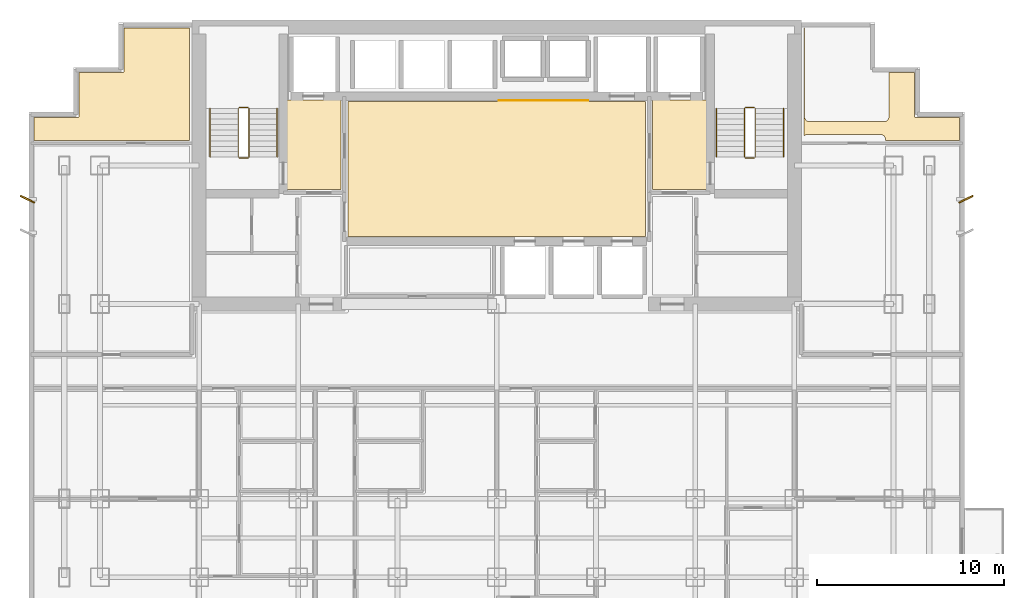
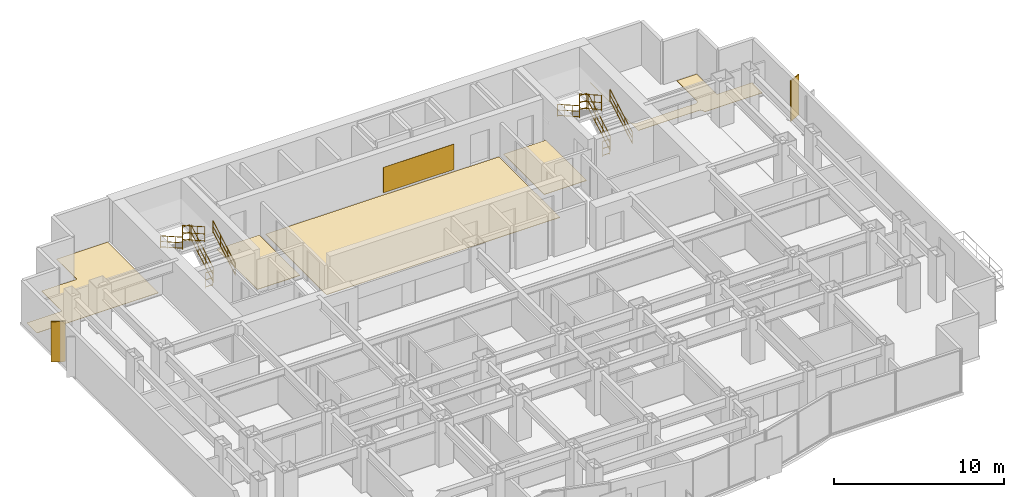
# One storey, part 10 of 10: 12 railings, 6 coverings, 2 shading devices.
"""IFC4 building model written with IfcOpenShell, lengths in metres."""

from ifc_helpers import new_model, si_unit, direction, frame, origin, origin_2d, place, context, subcontext, project, spatial, polyline, rectangle, circle, outline, extrude, source, transform, mapped, material, layer, layer_set, type_object, element, save


model = new_model("IFC4")

# Units and contexts
model_context = context("Model", 3, precision=1e-05, world=origin(), true_north=direction((0.0, 1.0)))
body_context = subcontext(model_context, "Body", "Model", "MODEL_VIEW")
ifc_project = project(units=[si_unit("LENGTHUNIT", "METRE"), si_unit("AREAUNIT", "SQUARE_METRE"), si_unit("VOLUMEUNIT", "CUBIC_METRE"), si_unit("PLANEANGLEUNIT", "RADIAN"), si_unit("MASSUNIT", "GRAM", prefix="KILO")], contexts=[model_context])

# Site, building, storey
site_placement = place(None, origin())
site = spatial("IfcSite", under=ifc_project, at=site_placement, CompositionType="ELEMENT")
building_placement = place(site_placement, origin())
building = spatial("IfcBuilding", under=site, at=building_placement, Name="Qianlan Lanfeng Residences", CompositionType="ELEMENT")
storey_placement = place(building_placement, frame((0.0, 0.0, 88.300048828125)))
storey = spatial("IfcBuildingStorey", under=building, at=storey_placement, Name="L23", CompositionType="ELEMENT", Elevation=88.300048828125)

# Coverings
ifc_material_1 = material(Name="Anodised Bronze Feature Wall Cladding")
ifc_layer_1 = layer(ifc_material_1, 0.02490234375)
ifc_layer_set_1 = layer_set([ifc_layer_1], Name="Anodised Bronze Feature Wall Cladding")
covering_type_1 = type_object("IfcCoveringType", Name="CLD-BRZ-25", PredefinedType="CLADDING", material=ifc_layer_set_1)
covering_1_placement = place(storey_placement, frame((0.0, 0.0, 0.14990234375)))
element("IfcCovering", 1, at=covering_1_placement, inside=storey, type_object=covering_type_1, Name="L23 Lift Lobby Bronze Feature Cladding", PredefinedType="CLADDING", context=body_context, shape_type="SweptSolid", body=[
    extrude(outline(polyline([(26.60009765625, 36.050048828125), (31.39990234375, 36.050048828125), (31.39990234375, 36.074951171875), (26.60009765625, 36.074951171875), (26.60009765625, 36.050048828125)])), origin(), (0.0, 0.0, 1.0), 1.830078125),
])
ifc_material_2 = material(Name="Honed Taitung Granite Stone Flooring", Category="masonry")
ifc_layer_2 = layer(ifc_material_2, 0.030029296875)
ifc_layer_set_2 = layer_set([ifc_layer_2], Name="Honed Taitung Granite Stone Flooring")
covering_type_2 = type_object("IfcCoveringType", Name="FLR-STN-30", PredefinedType="FLOORING", material=ifc_layer_set_2)
covering_2_placement = place(storey_placement, origin())
element("IfcCovering", 2, at=covering_2_placement, inside=storey, type_object=covering_type_2, Name="L23 Firefighting Lift Lobby Floor Finish", PredefinedType="FLOORING", context=body_context, shape_type="SweptSolid", body=[
    extrude(outline(polyline([(15.2900390625, 31.320068359375), (18.179931640625, 31.320068359375), (18.179931640625, 36.110107421875), (15.2900390625, 36.110107421875), (15.2900390625, 31.320068359375)])), origin(), (0.0, 0.0, 1.0), 0.030029296875),
])
covering_3_placement = place(storey_placement, origin())
element("IfcCovering", 3, at=covering_3_placement, inside=storey, type_object=covering_type_2, Name="L23 Firefighting Lift Lobby Floor Finish", PredefinedType="FLOORING", context=body_context, shape_type="SweptSolid", body=[
    extrude(outline(polyline([(34.820068359375, 31.320068359375), (37.7099609375, 31.320068359375), (37.7099609375, 36.110107421875), (34.820068359375, 36.110107421875), (34.820068359375, 31.320068359375)])), origin(), (0.0, 0.0, 1.0), 0.030029296875),
])
covering_4_placement = place(storey_placement, origin())
element("IfcCovering", 4, at=covering_4_placement, inside=storey, type_object=covering_type_2, Name="L23 Lift Lobby Floor Finish", PredefinedType="FLOORING", context=body_context, shape_type="SweptSolid", body=[
    extrude(outline(polyline([(18.550048828125, 28.820068359375), (34.449951171875, 28.820068359375), (34.449951171875, 36.010009765625), (18.550048828125, 36.010009765625), (18.550048828125, 28.820068359375)])), origin(), (0.0, 0.0, 1.0), 0.030029296875),
])
ifc_material_3 = material(Name="Engineered Smoked Oak Timber Flooring", Category="wood")
ifc_layer_3 = layer(ifc_material_3, 0.02197265625)
ifc_layer_set_3 = layer_set([ifc_layer_3], Name="Engineered Smoked Oak Timber Flooring")
covering_type_3 = type_object("IfcCoveringType", Name="FLR-TIM-22", PredefinedType="FLOORING", material=ifc_layer_set_3)
covering_5_placement = place(storey_placement, origin())
element("IfcCovering", 5, at=covering_5_placement, inside=storey, type_object=covering_type_3, Name="L23 Resident Lounge Floor Finish", PredefinedType="FLOORING", context=body_context, shape_type="SweptSolid", body=[
    extrude(outline(polyline([(1.7900390625, 33.949951171875), (10.074951171875, 33.949951171875), (10.074951171875, 39.9599609375), (6.590087890625, 39.9599609375), (6.590087890625, 37.6298828125), (6.590087890625, 37.623046875), (6.589111328125, 37.615966796875), (6.5869140625, 37.610107421875), (6.5849609375, 37.60302734375), (6.58203125, 37.596923828125), (6.577880859375, 37.591064453125), (6.573974609375, 37.5859375), (6.569091796875, 37.5810546875), (6.56396484375, 37.575927734375), (6.55908203125, 37.572021484375), (6.552978515625, 37.568115234375), (6.547119140625, 37.56494140625), (6.5400390625, 37.56298828125), (6.533935546875, 37.56103515625), (6.527099609375, 37.56005859375), (6.52001953125, 37.56005859375), (4.18994140625, 37.56005859375), (4.18994140625, 35.22998046875), (4.18994140625, 35.222900390625), (4.18896484375, 35.216064453125), (4.18701171875, 35.2099609375), (4.18505859375, 35.202880859375), (4.181884765625, 35.197021484375), (4.177978515625, 35.19091796875), (4.174072265625, 35.18603515625), (4.1689453125, 35.180908203125), (4.1640625, 35.176025390625), (4.158935546875, 35.172119140625), (4.153076171875, 35.16796875), (4.14697265625, 35.1650390625), (4.139892578125, 35.1630859375), (4.134033203125, 35.160888671875), (4.126953125, 35.159912109375), (4.1201171875, 35.159912109375), (1.7900390625, 35.159912109375), (1.7900390625, 33.949951171875)])), origin(), (0.0, 0.0, 1.0), 0.02197265625),
])
covering_6_placement = place(storey_placement, origin())
element("IfcCovering", 6, at=covering_6_placement, inside=storey, type_object=covering_type_3, Name="L23 Resident Lounge Floor Finish", PredefinedType="FLOORING", context=body_context, shape_type="SweptSolid", body=[
    extrude(outline(polyline([(42.925048828125, 34.196044921875), (42.94091796875, 34.2080078125), (42.9619140625, 34.219970703125), (42.98388671875, 34.23095703125), (43.007080078125, 34.239013671875), (43.031005859375, 34.2451171875), (43.054931640625, 34.2490234375), (43.080078125, 34.25), (47.02001953125, 34.25), (47.044921875, 34.2490234375), (47.069091796875, 34.2451171875), (47.093017578125, 34.239013671875), (47.115966796875, 34.23095703125), (47.137939453125, 34.219970703125), (47.158935546875, 34.2080078125), (47.178955078125, 34.193115234375), (47.197021484375, 34.177001953125), (47.212890625, 34.158935546875), (47.22802734375, 34.138916015625), (47.239990234375, 34.117919921875), (47.2509765625, 34.095947265625), (47.259033203125, 34.072998046875), (47.264892578125, 34.049072265625), (47.26904296875, 34.02490234375), (47.27001953125, 34.0), (47.27001953125, 33.949951171875), (51.2099609375, 33.949951171875), (51.2099609375, 35.159912109375), (48.8798828125, 35.159912109375), (48.873046875, 35.159912109375), (48.865966796875, 35.160888671875), (48.860107421875, 35.1630859375), (48.85302734375, 35.1650390625), (48.846923828125, 35.16796875), (48.841064453125, 35.172119140625), (48.8359375, 35.176025390625), (48.8310546875, 35.180908203125), (48.825927734375, 35.18603515625), (48.822021484375, 35.19091796875), (48.818115234375, 35.197021484375), (48.81494140625, 35.202880859375), (48.81298828125, 35.2099609375), (48.81103515625, 35.216064453125), (48.81005859375, 35.222900390625), (48.81005859375, 35.22998046875), (48.81005859375, 37.56005859375), (47.449951171875, 37.56005859375), (47.449951171875, 35.199951171875), (47.448974609375, 35.175048828125), (47.445068359375, 35.15087890625), (47.43896484375, 35.126953125), (47.430908203125, 35.10400390625), (47.419921875, 35.08203125), (47.407958984375, 35.06103515625), (47.39306640625, 35.041015625), (47.376953125, 35.02294921875), (47.35888671875, 35.007080078125), (47.339111328125, 34.991943359375), (47.318115234375, 34.97998046875), (47.2958984375, 34.968994140625), (47.27294921875, 34.9609375), (47.2490234375, 34.955078125), (47.22509765625, 34.950927734375), (47.199951171875, 34.949951171875), (43.199951171875, 34.949951171875), (43.175048828125, 34.950927734375), (43.15087890625, 34.955078125), (43.126953125, 34.9609375), (43.10400390625, 34.968994140625), (43.08203125, 34.97998046875), (43.06103515625, 34.991943359375), (43.041015625, 35.007080078125), (43.02294921875, 35.02294921875), (43.007080078125, 35.041015625), (42.991943359375, 35.06103515625), (42.97998046875, 35.08203125), (42.968994140625, 35.10400390625), (42.9609375, 35.126953125), (42.955078125, 35.15087890625), (42.950927734375, 35.175048828125), (42.949951171875, 35.199951171875), (42.949951171875, 39.9599609375), (42.925048828125, 39.9599609375), (42.925048828125, 34.196044921875)])), origin(), (0.0, 0.0, 1.0), 0.02197265625),
])

# Railings
ifc_material_4 = material(Name="Painted Galvanised Steel Guardrail", Category="steel")
railing_type_1 = type_object("IfcRailingType", Name="GR-ST-1120", PredefinedType="GUARDRAIL", material=ifc_material_4)
railing_1_placement = place(storey_placement, frame((13.27001953125, 33.050048828125, 0.1650390625)))
element("IfcRailing", 7, at=railing_1_placement, inside=storey, type_object=railing_type_1, Name="L23 ST-1 stair guard 1", PredefinedType="GUARDRAIL", context=body_context, shape_type="SweptSolid", body=[
    extrude(circle(Radius=0.02392578125, at=origin_2d()), frame((0.0, 0.0, 0.083984375), z_axis=(0.0, 0.869172267526, 0.494509422927), x_axis=(-1.0, 0.0, 0.0)), (0.0, 0.0, 1.0), 3.002685546875),
    extrude(circle(Radius=0.02392578125, at=origin_2d()), frame((0.0, 0.0, 0.58251953125), z_axis=(0.0, 0.869172267526, 0.494509422927), x_axis=(-1.0, 0.0, 0.0)), (0.0, 0.0, 1.0), 3.002685546875),
    extrude(circle(Radius=0.02392578125, at=origin_2d()), frame((0.0, 0.0, 1.09619140625), z_axis=(0.0, 0.869172267526, 0.494509422927), x_axis=(-1.0, 0.0, 0.0)), (0.0, 0.0, 1.0), 3.002685546875),
    extrude(circle(Radius=0.02099609375, at=origin_2d()), origin(), (0.0, 0.0, 1.0), 1.072021484375),
    extrude(circle(Radius=0.02099609375, at=origin_2d()), frame((0.0, 0.869873046875, 0.494873046875)), (0.0, 0.0, 1.0), 1.072021484375),
    extrude(circle(Radius=0.02099609375, at=origin_2d()), frame((0.0, 1.739990234375, 0.989990234375)), (0.0, 0.0, 1.0), 1.072021484375),
    extrude(circle(Radius=0.02099609375, at=origin_2d()), frame((0.0, 2.60986328125, 1.48486328125)), (0.0, 0.0, 1.0), 1.072021484375),
])
railing_2_placement = place(storey_placement, frame((13.219970703125, 35.7099609375, 1.64990234375)))
element("IfcRailing", 8, at=railing_2_placement, inside=storey, type_object=railing_type_1, Name="L23 ST-1 stair guard 2", PredefinedType="GUARDRAIL", context=body_context, shape_type="SweptSolid", body=[
    extrude(circle(Radius=0.02392578125, at=origin_2d()), frame((0.0, 0.0, 0.083984375), z_axis=(-1.0, 0.0, 0.0), x_axis=(0.0, -1.0, 0.0)), (0.0, 0.0, 1.0), 0.47998046875),
    extrude(circle(Radius=0.02392578125, at=origin_2d()), frame((0.0, 0.0, 0.58251953125), z_axis=(-1.0, 0.0, 0.0), x_axis=(0.0, -1.0, 0.0)), (0.0, 0.0, 1.0), 0.47998046875),
    extrude(circle(Radius=0.02392578125, at=origin_2d()), frame((0.0, 0.0, 1.09619140625), z_axis=(-1.0, 0.0, 0.0), x_axis=(0.0, -1.0, 0.0)), (0.0, 0.0, 1.0), 0.47998046875),
    extrude(circle(Radius=0.02099609375, at=origin_2d()), origin(), (0.0, 0.0, 1.0), 1.072021484375),
    extrude(circle(Radius=0.02099609375, at=origin_2d()), frame((-0.47998046875, 0.0, 0.0)), (0.0, 0.0, 1.0), 1.072021484375),
])
railing_3_placement = place(storey_placement, frame((12.68994140625, 35.659912109375, 1.81494140625)))
element("IfcRailing", 9, at=railing_3_placement, inside=storey, type_object=railing_type_1, Name="L23 ST-1 stair guard 3", PredefinedType="GUARDRAIL", context=body_context, shape_type="SweptSolid", body=[
    extrude(circle(Radius=0.02392578125, at=origin_2d()), frame((0.0, 0.0, 0.083984375), z_axis=(0.0, -0.869137319866, 0.494570843475), x_axis=(1.0, 0.0, 0.0)), (0.0, 0.0, 1.0), 3.0029296875),
    extrude(circle(Radius=0.02392578125, at=origin_2d()), frame((0.0, 0.0, 0.58251953125), z_axis=(0.0, -0.869137319866, 0.494570843475), x_axis=(1.0, 0.0, 0.0)), (0.0, 0.0, 1.0), 3.0029296875),
    extrude(circle(Radius=0.02392578125, at=origin_2d()), frame((0.0, 0.0, 1.09619140625), z_axis=(0.0, -0.869137319866, 0.494570843475), x_axis=(1.0, 0.0, 0.0)), (0.0, 0.0, 1.0), 3.0029296875),
    extrude(circle(Radius=0.02099609375, at=origin_2d()), origin(), (0.0, 0.0, 1.0), 1.072021484375),
    extrude(circle(Radius=0.02099609375, at=origin_2d()), frame((0.0, -0.869873046875, 0.4951171875)), (0.0, 0.0, 1.0), 1.072021484375),
    extrude(circle(Radius=0.02099609375, at=origin_2d()), frame((0.0, -1.739990234375, 0.989990234375)), (0.0, 0.0, 1.0), 1.072021484375),
    extrude(circle(Radius=0.02099609375, at=origin_2d()), frame((0.0, -2.60986328125, 1.485107421875)), (0.0, 0.0, 1.0), 1.072021484375),
])
railing_4_placement = place(storey_placement, frame((13.219970703125, 33.0, 0.0)))
element("IfcRailing", 10, at=railing_4_placement, inside=storey, type_object=railing_type_1, Name="L23 ST-1 stair guard 4", PredefinedType="GUARDRAIL", context=body_context, shape_type="SweptSolid", body=[
    extrude(circle(Radius=0.02392578125, at=origin_2d()), frame((0.0, 0.0, 0.083984375), z_axis=(-1.0, 0.0, 0.0), x_axis=(0.0, -1.0, 0.0)), (0.0, 0.0, 1.0), 0.47998046875),
    extrude(circle(Radius=0.02392578125, at=origin_2d()), frame((0.0, 0.0, 0.58251953125), z_axis=(-1.0, 0.0, 0.0), x_axis=(0.0, -1.0, 0.0)), (0.0, 0.0, 1.0), 0.47998046875),
    extrude(circle(Radius=0.02392578125, at=origin_2d()), frame((0.0, 0.0, 1.09619140625), z_axis=(-1.0, 0.0, 0.0), x_axis=(0.0, -1.0, 0.0)), (0.0, 0.0, 1.0), 0.47998046875),
    extrude(circle(Radius=0.02099609375, at=origin_2d()), origin(), (0.0, 0.0, 1.0), 1.072021484375),
    extrude(circle(Radius=0.02099609375, at=origin_2d()), frame((-0.47998046875, 0.0, 0.0)), (0.0, 0.0, 1.0), 1.072021484375),
])
railing_5_placement = place(storey_placement, frame((40.31005859375, 33.050048828125, 0.1650390625)))
element("IfcRailing", 11, at=railing_5_placement, inside=storey, type_object=railing_type_1, Name="L23 ST-2 stair guard 1", PredefinedType="GUARDRAIL", context=body_context, shape_type="SweptSolid", body=[
    extrude(circle(Radius=0.02392578125, at=origin_2d()), frame((0.0, 0.0, 0.083984375), z_axis=(0.0, 0.869172267526, 0.494509422927), x_axis=(-1.0, 0.0, 0.0)), (0.0, 0.0, 1.0), 3.002685546875),
    extrude(circle(Radius=0.02392578125, at=origin_2d()), frame((0.0, 0.0, 0.58251953125), z_axis=(0.0, 0.869172267526, 0.494509422927), x_axis=(-1.0, 0.0, 0.0)), (0.0, 0.0, 1.0), 3.002685546875),
    extrude(circle(Radius=0.02392578125, at=origin_2d()), frame((0.0, 0.0, 1.09619140625), z_axis=(0.0, 0.869172267526, 0.494509422927), x_axis=(-1.0, 0.0, 0.0)), (0.0, 0.0, 1.0), 3.002685546875),
    extrude(circle(Radius=0.02099609375, at=origin_2d()), origin(), (0.0, 0.0, 1.0), 1.072021484375),
    extrude(circle(Radius=0.02099609375, at=origin_2d()), frame((0.0, 0.869873046875, 0.494873046875)), (0.0, 0.0, 1.0), 1.072021484375),
    extrude(circle(Radius=0.02099609375, at=origin_2d()), frame((0.0, 1.739990234375, 0.989990234375)), (0.0, 0.0, 1.0), 1.072021484375),
    extrude(circle(Radius=0.02099609375, at=origin_2d()), frame((0.0, 2.60986328125, 1.48486328125)), (0.0, 0.0, 1.0), 1.072021484375),
])
railing_6_placement = place(storey_placement, frame((40.260009765625, 35.7099609375, 1.64990234375)))
element("IfcRailing", 12, at=railing_6_placement, inside=storey, type_object=railing_type_1, Name="L23 ST-2 stair guard 2", PredefinedType="GUARDRAIL", context=body_context, shape_type="SweptSolid", body=[
    extrude(circle(Radius=0.02392578125, at=origin_2d()), frame((0.0, 0.0, 0.083984375), z_axis=(-1.0, 0.0, 0.0), x_axis=(0.0, -1.0, 0.0)), (0.0, 0.0, 1.0), 0.47998046875),
    extrude(circle(Radius=0.02392578125, at=origin_2d()), frame((0.0, 0.0, 0.58251953125), z_axis=(-1.0, 0.0, 0.0), x_axis=(0.0, -1.0, 0.0)), (0.0, 0.0, 1.0), 0.47998046875),
    extrude(circle(Radius=0.02392578125, at=origin_2d()), frame((0.0, 0.0, 1.09619140625), z_axis=(-1.0, 0.0, 0.0), x_axis=(0.0, -1.0, 0.0)), (0.0, 0.0, 1.0), 0.47998046875),
    extrude(circle(Radius=0.02099609375, at=origin_2d()), origin(), (0.0, 0.0, 1.0), 1.072021484375),
    extrude(circle(Radius=0.02099609375, at=origin_2d()), frame((-0.47998046875, 0.0, 0.0)), (0.0, 0.0, 1.0), 1.072021484375),
])
railing_7_placement = place(storey_placement, frame((39.72998046875, 35.659912109375, 1.81494140625)))
element("IfcRailing", 13, at=railing_7_placement, inside=storey, type_object=railing_type_1, Name="L23 ST-2 stair guard 3", PredefinedType="GUARDRAIL", context=body_context, shape_type="SweptSolid", body=[
    extrude(circle(Radius=0.02392578125, at=origin_2d()), frame((0.0, 0.0, 0.083984375), z_axis=(0.0, -0.869137319866, 0.494570843475), x_axis=(1.0, 0.0, 0.0)), (0.0, 0.0, 1.0), 3.0029296875),
    extrude(circle(Radius=0.02392578125, at=origin_2d()), frame((0.0, 0.0, 0.58251953125), z_axis=(0.0, -0.869137319866, 0.494570843475), x_axis=(1.0, 0.0, 0.0)), (0.0, 0.0, 1.0), 3.0029296875),
    extrude(circle(Radius=0.02392578125, at=origin_2d()), frame((0.0, 0.0, 1.09619140625), z_axis=(0.0, -0.869137319866, 0.494570843475), x_axis=(1.0, 0.0, 0.0)), (0.0, 0.0, 1.0), 3.0029296875),
    extrude(circle(Radius=0.02099609375, at=origin_2d()), origin(), (0.0, 0.0, 1.0), 1.072021484375),
    extrude(circle(Radius=0.02099609375, at=origin_2d()), frame((0.0, -0.869873046875, 0.4951171875)), (0.0, 0.0, 1.0), 1.072021484375),
    extrude(circle(Radius=0.02099609375, at=origin_2d()), frame((0.0, -1.739990234375, 0.989990234375)), (0.0, 0.0, 1.0), 1.072021484375),
    extrude(circle(Radius=0.02099609375, at=origin_2d()), frame((0.0, -2.60986328125, 1.485107421875)), (0.0, 0.0, 1.0), 1.072021484375),
])
railing_8_placement = place(storey_placement, frame((40.260009765625, 33.0, 0.0)))
element("IfcRailing", 14, at=railing_8_placement, inside=storey, type_object=railing_type_1, Name="L23 ST-2 stair guard 4", PredefinedType="GUARDRAIL", context=body_context, shape_type="SweptSolid", body=[
    extrude(circle(Radius=0.02392578125, at=origin_2d()), frame((0.0, 0.0, 0.083984375), z_axis=(-1.0, 0.0, 0.0), x_axis=(0.0, -1.0, 0.0)), (0.0, 0.0, 1.0), 0.47998046875),
    extrude(circle(Radius=0.02392578125, at=origin_2d()), frame((0.0, 0.0, 0.58251953125), z_axis=(-1.0, 0.0, 0.0), x_axis=(0.0, -1.0, 0.0)), (0.0, 0.0, 1.0), 0.47998046875),
    extrude(circle(Radius=0.02392578125, at=origin_2d()), frame((0.0, 0.0, 1.09619140625), z_axis=(-1.0, 0.0, 0.0), x_axis=(0.0, -1.0, 0.0)), (0.0, 0.0, 1.0), 0.47998046875),
    extrude(circle(Radius=0.02099609375, at=origin_2d()), origin(), (0.0, 0.0, 1.0), 1.072021484375),
    extrude(circle(Radius=0.02099609375, at=origin_2d()), frame((-0.47998046875, 0.0, 0.0)), (0.0, 0.0, 1.0), 1.072021484375),
])
ifc_material_5 = material(Name="Brushed Stainless Steel Handrail", Category="steel")
railing_type_2 = type_object("IfcRailingType", Name="HR-ST-920", PredefinedType="HANDRAIL", material=ifc_material_5)
railing_9_placement = place(storey_placement, frame((14.77001953125, 33.050048828125, 0.1650390625)))
element("IfcRailing", 15, at=railing_9_placement, inside=storey, type_object=railing_type_2, Name="L23 ST-1 stair handrail 1", PredefinedType="HANDRAIL", context=body_context, shape_type="SweptSolid", body=[
    extrude(circle(Radius=0.02392578125, at=origin_2d()), frame((0.0, 0.0, 0.083984375), z_axis=(0.0, 0.869172267526, 0.494509422927), x_axis=(-1.0, 0.0, 0.0)), (0.0, 0.0, 1.0), 3.002685546875),
    extrude(circle(Radius=0.02392578125, at=origin_2d()), frame((0.0, 0.0, 0.468017578125), z_axis=(0.0, 0.869172267526, 0.494509422927), x_axis=(-1.0, 0.0, 0.0)), (0.0, 0.0, 1.0), 3.002685546875),
    extrude(circle(Radius=0.02392578125, at=origin_2d()), frame((0.0, 0.0, 0.8759765625), z_axis=(0.0, 0.869172267526, 0.494509422927), x_axis=(-1.0, 0.0, 0.0)), (0.0, 0.0, 1.0), 3.002685546875),
    extrude(circle(Radius=0.02099609375, at=origin_2d()), origin(), (0.0, 0.0, 1.0), 0.851806640625),
    extrude(circle(Radius=0.02099609375, at=origin_2d()), frame((0.0, 0.869873046875, 0.494873046875)), (0.0, 0.0, 1.0), 0.851806640625),
    extrude(circle(Radius=0.02099609375, at=origin_2d()), frame((0.0, 1.739990234375, 0.989990234375)), (0.0, 0.0, 1.0), 0.851806640625),
    extrude(circle(Radius=0.02099609375, at=origin_2d()), frame((0.0, 2.60986328125, 1.48486328125)), (0.0, 0.0, 1.0), 0.851806640625),
])
railing_10_placement = place(storey_placement, frame((11.18994140625, 35.659912109375, 1.81494140625)))
element("IfcRailing", 16, at=railing_10_placement, inside=storey, type_object=railing_type_2, Name="L23 ST-1 stair handrail 2", PredefinedType="HANDRAIL", context=body_context, shape_type="SweptSolid", body=[
    extrude(circle(Radius=0.02392578125, at=origin_2d()), frame((0.0, 0.0, 0.083984375), z_axis=(0.0, -0.869137319866, 0.494570843475), x_axis=(1.0, 0.0, 0.0)), (0.0, 0.0, 1.0), 3.0029296875),
    extrude(circle(Radius=0.02392578125, at=origin_2d()), frame((0.0, 0.0, 0.468017578125), z_axis=(0.0, -0.869137319866, 0.494570843475), x_axis=(1.0, 0.0, 0.0)), (0.0, 0.0, 1.0), 3.0029296875),
    extrude(circle(Radius=0.02392578125, at=origin_2d()), frame((0.0, 0.0, 0.8759765625), z_axis=(0.0, -0.869137319866, 0.494570843475), x_axis=(1.0, 0.0, 0.0)), (0.0, 0.0, 1.0), 3.0029296875),
    extrude(circle(Radius=0.02099609375, at=origin_2d()), origin(), (0.0, 0.0, 1.0), 0.851806640625),
    extrude(circle(Radius=0.02099609375, at=origin_2d()), frame((0.0, -0.869873046875, 0.4951171875)), (0.0, 0.0, 1.0), 0.851806640625),
    extrude(circle(Radius=0.02099609375, at=origin_2d()), frame((0.0, -1.739990234375, 0.989990234375)), (0.0, 0.0, 1.0), 0.851806640625),
    extrude(circle(Radius=0.02099609375, at=origin_2d()), frame((0.0, -2.60986328125, 1.485107421875)), (0.0, 0.0, 1.0), 0.851806640625),
])
railing_11_placement = place(storey_placement, frame((41.81005859375, 33.050048828125, 0.1650390625)))
element("IfcRailing", 17, at=railing_11_placement, inside=storey, type_object=railing_type_2, Name="L23 ST-2 stair handrail 1", PredefinedType="HANDRAIL", context=body_context, shape_type="SweptSolid", body=[
    extrude(circle(Radius=0.02392578125, at=origin_2d()), frame((0.0, 0.0, 0.083984375), z_axis=(0.0, 0.869172267526, 0.494509422927), x_axis=(-1.0, 0.0, 0.0)), (0.0, 0.0, 1.0), 3.002685546875),
    extrude(circle(Radius=0.02392578125, at=origin_2d()), frame((0.0, 0.0, 0.468017578125), z_axis=(0.0, 0.869172267526, 0.494509422927), x_axis=(-1.0, 0.0, 0.0)), (0.0, 0.0, 1.0), 3.002685546875),
    extrude(circle(Radius=0.02392578125, at=origin_2d()), frame((0.0, 0.0, 0.8759765625), z_axis=(0.0, 0.869172267526, 0.494509422927), x_axis=(-1.0, 0.0, 0.0)), (0.0, 0.0, 1.0), 3.002685546875),
    extrude(circle(Radius=0.02099609375, at=origin_2d()), origin(), (0.0, 0.0, 1.0), 0.851806640625),
    extrude(circle(Radius=0.02099609375, at=origin_2d()), frame((0.0, 0.869873046875, 0.494873046875)), (0.0, 0.0, 1.0), 0.851806640625),
    extrude(circle(Radius=0.02099609375, at=origin_2d()), frame((0.0, 1.739990234375, 0.989990234375)), (0.0, 0.0, 1.0), 0.851806640625),
    extrude(circle(Radius=0.02099609375, at=origin_2d()), frame((0.0, 2.60986328125, 1.48486328125)), (0.0, 0.0, 1.0), 0.851806640625),
])
railing_12_placement = place(storey_placement, frame((38.22998046875, 35.659912109375, 1.81494140625)))
element("IfcRailing", 18, at=railing_12_placement, inside=storey, type_object=railing_type_2, Name="L23 ST-2 stair handrail 2", PredefinedType="HANDRAIL", context=body_context, shape_type="SweptSolid", body=[
    extrude(circle(Radius=0.02392578125, at=origin_2d()), frame((0.0, 0.0, 0.083984375), z_axis=(0.0, -0.869137319866, 0.494570843475), x_axis=(1.0, 0.0, 0.0)), (0.0, 0.0, 1.0), 3.0029296875),
    extrude(circle(Radius=0.02392578125, at=origin_2d()), frame((0.0, 0.0, 0.468017578125), z_axis=(0.0, -0.869137319866, 0.494570843475), x_axis=(1.0, 0.0, 0.0)), (0.0, 0.0, 1.0), 3.0029296875),
    extrude(circle(Radius=0.02392578125, at=origin_2d()), frame((0.0, 0.0, 0.8759765625), z_axis=(0.0, -0.869137319866, 0.494570843475), x_axis=(1.0, 0.0, 0.0)), (0.0, 0.0, 1.0), 3.0029296875),
    extrude(circle(Radius=0.02099609375, at=origin_2d()), origin(), (0.0, 0.0, 1.0), 0.851806640625),
    extrude(circle(Radius=0.02099609375, at=origin_2d()), frame((0.0, -0.869873046875, 0.4951171875)), (0.0, 0.0, 1.0), 0.851806640625),
    extrude(circle(Radius=0.02099609375, at=origin_2d()), frame((0.0, -1.739990234375, 0.989990234375)), (0.0, 0.0, 1.0), 0.851806640625),
    extrude(circle(Radius=0.02099609375, at=origin_2d()), frame((0.0, -2.60986328125, 1.485107421875)), (0.0, 0.0, 1.0), 0.851806640625),
])

# Shading devices
ifc_material_6 = material(Name="Anodised Bronze Aluminium Solar Fin", Category="aluminium")
shading_device_type = type_object("IfcShadingDeviceType", Name="FIN-BRZ-850", PredefinedType="SHUTTER", material=ifc_material_6)
shared_shape = source(origin(), body_context, "Body", "SweptSolid", [
    extrude(rectangle(XDim=0.85009765625, YDim=0.080078125, at=origin_2d()), origin(), (0.0, 0.0, 1.0), 2.89990234375),
])
for number, where, z_axis, x_axis, name in (
    (19, (1.429931640625, 30.800048828125, 0.0), (0.0, 0.0, 1.0), (0.898794046299, -0.438371146789, 0.0), "L23 Raked Bronze Solar Fin W2"),
    (20, (51.570068359375, 30.800048828125, 0.0), (0.0, 0.0, 1.0), (0.898794046299, 0.438371146789, 0.0), "L23 Raked Bronze Solar Fin E2"),
):
    element("IfcShadingDevice", number, at=place(storey_placement, frame(where, z_axis=z_axis, x_axis=x_axis)), inside=storey, type_object=shading_device_type, Name=name, PredefinedType="SHUTTER", context=body_context, shape_type="MappedRepresentation", body=[
        mapped(shared_shape, transform((0.0, 0.0, 0.0), scale=1.0)),
    ])

save(model, "model.ifc")
